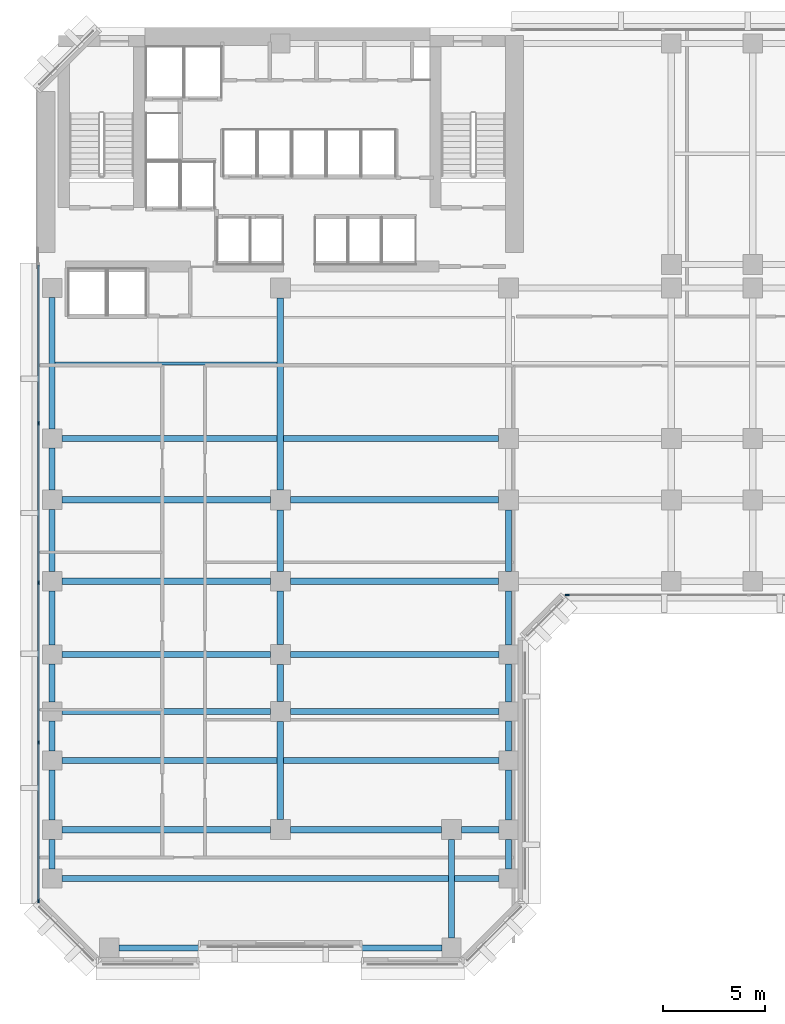
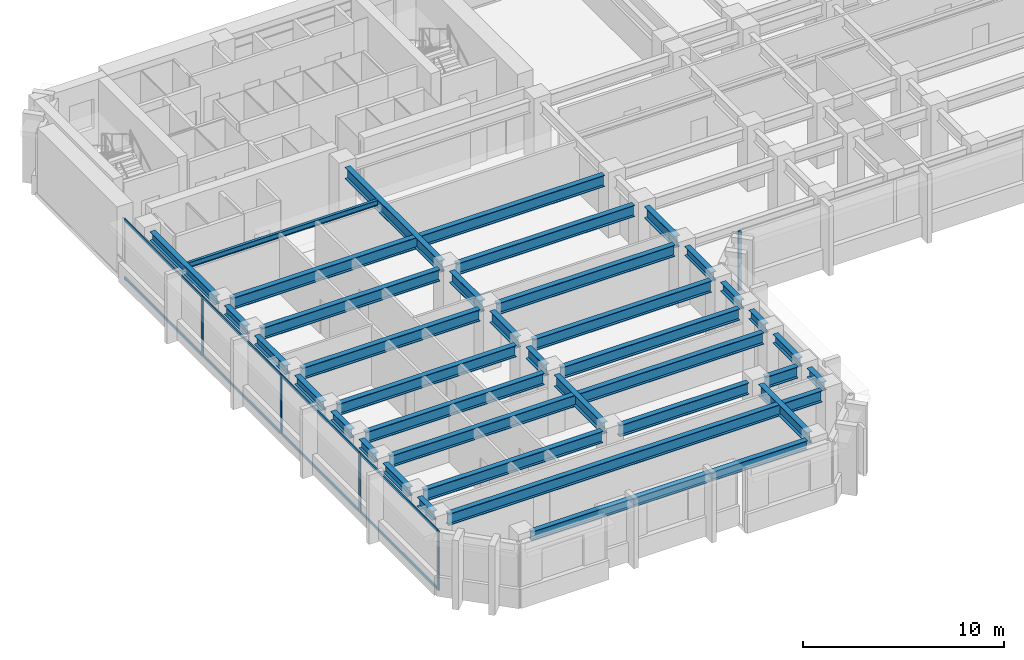
# One storey, part 2 of 13: 36 beams, 13 members, 2 elements without a shape of their own.
"""IFC4 building model written with IfcOpenShell, lengths in metres."""

from ifc_helpers import new_model, si_unit, direction, frame, origin, origin_2d, place, context, subcontext, project, spatial, rectangle, i_section, extrude, material, layer, layer_set, material_profile, profile_set, type_object, element, aggregate, save


model = new_model("IFC4")

# Units and contexts
model_context = context("Model", 3, precision=1e-05, world=origin(), true_north=direction((0.0, 1.0)))
body_context = subcontext(model_context, "Body", "Model", "MODEL_VIEW")
ifc_project = project(units=[si_unit("LENGTHUNIT", "METRE"), si_unit("AREAUNIT", "SQUARE_METRE"), si_unit("VOLUMEUNIT", "CUBIC_METRE"), si_unit("PLANEANGLEUNIT", "RADIAN"), si_unit("MASSUNIT", "GRAM", prefix="KILO")], contexts=[model_context])

# Site, building, storey
site_placement = place(None, origin())
site = spatial("IfcSite", under=ifc_project, at=site_placement, CompositionType="ELEMENT")
building_placement = place(site_placement, origin())
building = spatial("IfcBuilding", under=site, at=building_placement, Name="Kefirva Bronze Tower", CompositionType="ELEMENT")
storey_placement = place(building_placement, frame((0.0, 0.0, 89.760009765625)))
storey = spatial("IfcBuildingStorey", under=building, at=storey_placement, Name="L21", CompositionType="ELEMENT", Elevation=89.760009765625)

# Curtain wall, member
ifc_material_1 = material(Name="Bronze anodised aluminium", Category="aluminium")
ifc_layer = layer(ifc_material_1, 0.199951171875, Name="Bronze anodised aluminium")
ifc_layer_set = layer_set([ifc_layer], Name="Bronze anodised aluminium")
curtain_wall_type = type_object("IfcCurtainWallType", Name="Unitised Bronze Ribbon Curtain Wall Zone 1", PredefinedType="USERDEFINED", material=ifc_layer_set)
curtain_wall_1_placement = place(storey_placement, origin())
curtain_wall_1 = element("IfcCurtainWall", 1, at=curtain_wall_1_placement, inside=storey, type_object=curtain_wall_type, Name="L21 Curtain Wall 1", ObjectType="UNITISED CURTAIN WALL", PredefinedType="USERDEFINED")
ifc_material_profile_1 = material_profile(ifc_material_1, rectangle(XDim=0.074951171875, YDim=0.179931640625, at=origin_2d()), Name="ALU 75x180")
ifc_profile_set_1 = profile_set([ifc_material_profile_1], Name="Bronze anodised aluminium")
member_type_1 = type_object("IfcMemberType", Name="Bronze Mullion 75x180", PredefinedType="MULLION", material=ifc_profile_set_1)
member_1_placement = place(storey_placement, frame((26.092529296875, 18.1201171875, 0.0), z_axis=(0.0, 0.0, 1.0), x_axis=(0.0, 1.0, 0.0)))
member_1 = element("IfcMember", 2, at=member_1_placement, type_object=member_type_1, Name="CW-01 mullion 1", PredefinedType="MULLION", context=body_context, shape_type="SweptSolid", body=[
    extrude(rectangle(XDim=0.074951171875, YDim=0.179931640625, at=origin_2d()), origin(), (0.0, 0.0, 1.0), 3.610107421875),
])
aggregate(curtain_wall_1, [member_1])

# Curtain wall, members
curtain_wall_2_placement = place(storey_placement, origin())
curtain_wall_2 = element("IfcCurtainWall", 3, at=curtain_wall_2_placement, inside=storey, type_object=curtain_wall_type, Name="L21 Curtain Wall 4", ObjectType="UNITISED CURTAIN WALL", PredefinedType="USERDEFINED")
member_2_placement = place(storey_placement, frame((0.1201171875, 26.56005859375, 0.0), z_axis=(0.0, 0.0, 1.0), x_axis=(1.0, 0.0, 0.0)))
member_2 = element("IfcMember", 4, at=member_2_placement, type_object=member_type_1, Name="CW-01 mullion 2", PredefinedType="MULLION", context=body_context, shape_type="SweptSolid", body=[
    extrude(rectangle(XDim=0.074951171875, YDim=0.179931640625, at=origin_2d()), origin(), (0.0, 0.0, 1.0), 3.610107421875),
])
member_3_placement = place(storey_placement, frame((0.1201171875, 18.72509765625, 0.0), z_axis=(0.0, 0.0, 1.0), x_axis=(1.0, 0.0, 0.0)))
member_3 = element("IfcMember", 5, at=member_3_placement, type_object=member_type_1, Name="CW-01 mullion 3", PredefinedType="MULLION", context=body_context, shape_type="SweptSolid", body=[
    extrude(rectangle(XDim=0.074951171875, YDim=0.179931640625, at=origin_2d()), origin(), (0.0, 0.0, 1.0), 3.610107421875),
])
member_4_placement = place(storey_placement, frame((0.1201171875, 10.889892578125, 0.0), z_axis=(0.0, 0.0, 1.0), x_axis=(1.0, 0.0, 0.0)))
member_4 = element("IfcMember", 6, at=member_4_placement, type_object=member_type_1, Name="CW-01 mullion 4", PredefinedType="MULLION", context=body_context, shape_type="SweptSolid", body=[
    extrude(rectangle(XDim=0.074951171875, YDim=0.179931640625, at=origin_2d()), origin(), (0.0, 0.0, 1.0), 3.610107421875),
])
member_5_placement = place(storey_placement, frame((0.1201171875, 3.092529296875, 0.0), z_axis=(0.0, 0.0, 1.0), x_axis=(1.0, 0.0, 0.0)))
member_5 = element("IfcMember", 7, at=member_5_placement, type_object=member_type_1, Name="CW-01 mullion 5", PredefinedType="MULLION", context=body_context, shape_type="SweptSolid", body=[
    extrude(rectangle(XDim=0.074951171875, YDim=0.179931640625, at=origin_2d()), origin(), (0.0, 0.0, 1.0), 3.610107421875),
])
ifc_material_profile_2 = material_profile(ifc_material_1, rectangle(XDim=0.074951171875, YDim=0.14990234375, at=origin_2d()), Name="ALU 75x150")
ifc_profile_set_2 = profile_set([ifc_material_profile_2], Name="Bronze anodised aluminium")
member_type_2 = type_object("IfcMemberType", Name="Bronze Transom 75x150", PredefinedType="USERDEFINED", material=ifc_profile_set_2)
member_6_placement = place(storey_placement, frame((0.1201171875, 34.320068359375, 0.03759765625), z_axis=(0.0, -1.0, 0.0), x_axis=(1.0, 0.0, 0.0)))
member_6 = element("IfcMember", 8, at=member_6_placement, type_object=member_type_2, Name="CW-01 transom 1.1", ObjectType="TRANSOM", PredefinedType="USERDEFINED", context=body_context, shape_type="SweptSolid", body=[
    extrude(rectangle(XDim=0.074951171875, YDim=0.14990234375, at=origin_2d()), origin(), (0.0, 0.0, 1.0), 7.72265625),
])
member_7_placement = place(storey_placement, frame((0.1201171875, 34.320068359375, 3.572509765625), z_axis=(0.0, -1.0, 0.0), x_axis=(1.0, 0.0, 0.0)))
member_7 = element("IfcMember", 9, at=member_7_placement, type_object=member_type_2, Name="CW-01 transom 1.2", ObjectType="TRANSOM", PredefinedType="USERDEFINED", context=body_context, shape_type="SweptSolid", body=[
    extrude(rectangle(XDim=0.074951171875, YDim=0.14990234375, at=origin_2d()), origin(), (0.0, 0.0, 1.0), 7.72265625),
])
member_8_placement = place(storey_placement, frame((0.1201171875, 26.5224609375, 0.03759765625), z_axis=(0.0, -1.0, 0.0), x_axis=(1.0, 0.0, 0.0)))
member_8 = element("IfcMember", 10, at=member_8_placement, type_object=member_type_2, Name="CW-01 transom 2.1", ObjectType="TRANSOM", PredefinedType="USERDEFINED", context=body_context, shape_type="SweptSolid", body=[
    extrude(rectangle(XDim=0.074951171875, YDim=0.14990234375, at=origin_2d()), origin(), (0.0, 0.0, 1.0), 7.760009765625),
])
member_9_placement = place(storey_placement, frame((0.1201171875, 26.5224609375, 3.572509765625), z_axis=(0.0, -1.0, 0.0), x_axis=(1.0, 0.0, 0.0)))
member_9 = element("IfcMember", 11, at=member_9_placement, type_object=member_type_2, Name="CW-01 transom 2.2", ObjectType="TRANSOM", PredefinedType="USERDEFINED", context=body_context, shape_type="SweptSolid", body=[
    extrude(rectangle(XDim=0.074951171875, YDim=0.14990234375, at=origin_2d()), origin(), (0.0, 0.0, 1.0), 7.760009765625),
])
member_10_placement = place(storey_placement, frame((0.1201171875, 18.6875, 0.03759765625), z_axis=(0.0, -1.0, 0.0), x_axis=(1.0, 0.0, 0.0)))
member_10 = element("IfcMember", 12, at=member_10_placement, type_object=member_type_2, Name="CW-01 transom 3.1", ObjectType="TRANSOM", PredefinedType="USERDEFINED", context=body_context, shape_type="SweptSolid", body=[
    extrude(rectangle(XDim=0.074951171875, YDim=0.14990234375, at=origin_2d()), origin(), (0.0, 0.0, 1.0), 7.760009765625),
])
member_11_placement = place(storey_placement, frame((0.1201171875, 18.6875, 3.572509765625), z_axis=(0.0, -1.0, 0.0), x_axis=(1.0, 0.0, 0.0)))
member_11 = element("IfcMember", 13, at=member_11_placement, type_object=member_type_2, Name="CW-01 transom 3.2", ObjectType="TRANSOM", PredefinedType="USERDEFINED", context=body_context, shape_type="SweptSolid", body=[
    extrude(rectangle(XDim=0.074951171875, YDim=0.14990234375, at=origin_2d()), origin(), (0.0, 0.0, 1.0), 7.760009765625),
])
member_12_placement = place(storey_placement, frame((0.1201171875, 10.8525390625, 0.03759765625), z_axis=(0.0, -1.0, 0.0), x_axis=(1.0, 0.0, 0.0)))
member_12 = element("IfcMember", 14, at=member_12_placement, type_object=member_type_2, Name="CW-01 transom 4.1", ObjectType="TRANSOM", PredefinedType="USERDEFINED", context=body_context, shape_type="SweptSolid", body=[
    extrude(rectangle(XDim=0.074951171875, YDim=0.14990234375, at=origin_2d()), origin(), (0.0, 0.0, 1.0), 7.72265625),
])
member_13_placement = place(storey_placement, frame((0.1201171875, 10.8525390625, 3.572509765625), z_axis=(0.0, -1.0, 0.0), x_axis=(1.0, 0.0, 0.0)))
member_13 = element("IfcMember", 15, at=member_13_placement, type_object=member_type_2, Name="CW-01 transom 4.2", ObjectType="TRANSOM", PredefinedType="USERDEFINED", context=body_context, shape_type="SweptSolid", body=[
    extrude(rectangle(XDim=0.074951171875, YDim=0.14990234375, at=origin_2d()), origin(), (0.0, 0.0, 1.0), 7.72265625),
])
aggregate(curtain_wall_2, [member_2, member_3, member_4, member_5, member_6, member_7, member_8, member_9, member_10, member_11, member_12, member_13])

# Beams
ifc_material_2 = material(Name="Steel S355", Category="steel")
ifc_material_profile_3 = material_profile(ifc_material_2, i_section(OverallWidth=0.159912109375, OverallDepth=0.330078125, WebThickness=0.007568359375, FlangeThickness=0.011474609375, at=origin_2d()), Name="IPE 330")
ifc_profile_set_3 = profile_set([ifc_material_profile_3], Name="Steel S355")
beam_type_1 = type_object("IfcBeamType", Name="Steel Floor Joist IPE 330", PredefinedType="JOIST", material=ifc_profile_set_3)
beam_1_placement = place(storey_placement, frame((0.949951171875, 29.489990234375, 3.445068359375), z_axis=(1.0, 0.0, 0.0), x_axis=(0.0, 1.0, 0.0)))
element("IfcBeam", 16, at=beam_1_placement, inside=storey, type_object=beam_type_1, Name="L21 JST-L21-0-294", PredefinedType="JOIST", context=body_context, shape_type="SweptSolid", body=[
    extrude(i_section(OverallWidth=0.159912109375, OverallDepth=0.330078125, WebThickness=0.007568359375, FlangeThickness=0.011474609375, at=origin_2d()), origin(), (0.0, 0.0, 1.0), 10.900146484375),
])
ifc_material_profile_4 = material_profile(ifc_material_2, i_section(OverallWidth=0.300048828125, OverallDepth=0.699951171875, WebThickness=0.01708984375, FlangeThickness=0.031982421875, at=origin_2d()), Name="HEB 700")
ifc_profile_set_4 = profile_set([ifc_material_profile_4], Name="Steel S355")
beam_type_2 = type_object("IfcBeamType", Name="Steel Girder HEB 700", PredefinedType="USERDEFINED", material=ifc_profile_set_4)
beam_2_placement = place(storey_placement, frame((1.27001953125, 4.199951171875, 3.260009765625), z_axis=(1.0, 0.0, 0.0), x_axis=(0.0, 1.0, 0.0)))
element("IfcBeam", 17, at=beam_2_placement, inside=storey, type_object=beam_type_2, Name="L21 BM-L21-EW-0-42", ObjectType="GIRDER", PredefinedType="USERDEFINED", context=body_context, shape_type="SweptSolid", body=[
    extrude(i_section(OverallWidth=0.300048828125, OverallDepth=0.699951171875, WebThickness=0.01708984375, FlangeThickness=0.031982421875, at=origin_2d()), origin(), (0.0, 0.0, 1.0), 21.4599609375),
])
beam_3_placement = place(storey_placement, frame((1.27001953125, 6.60009765625, 3.260009765625), z_axis=(1.0, 0.0, 0.0), x_axis=(0.0, 1.0, 0.0)))
element("IfcBeam", 18, at=beam_3_placement, inside=storey, type_object=beam_type_2, Name="L21 BM-L21-EW-0-66", ObjectType="GIRDER", PredefinedType="USERDEFINED", context=body_context, shape_type="SweptSolid", body=[
    extrude(i_section(OverallWidth=0.300048828125, OverallDepth=0.699951171875, WebThickness=0.01708984375, FlangeThickness=0.031982421875, at=origin_2d()), origin(), (0.0, 0.0, 1.0), 10.239990234375),
])
beam_4_placement = place(storey_placement, frame((12.489990234375, 6.60009765625, 3.260009765625), z_axis=(1.0, 0.0, 0.0), x_axis=(0.0, 1.0, 0.0)))
element("IfcBeam", 19, at=beam_4_placement, inside=storey, type_object=beam_type_2, Name="L21 BM-L21-EW-12-66", ObjectType="GIRDER", PredefinedType="USERDEFINED", context=body_context, shape_type="SweptSolid", body=[
    extrude(i_section(OverallWidth=0.300048828125, OverallDepth=0.699951171875, WebThickness=0.01708984375, FlangeThickness=0.031982421875, at=origin_2d()), origin(), (0.0, 0.0, 1.0), 7.419921875),
])
beam_5_placement = place(storey_placement, frame((20.889892578125, 6.60009765625, 3.260009765625), z_axis=(1.0, 0.0, 0.0), x_axis=(0.0, 1.0, 0.0)))
element("IfcBeam", 20, at=beam_5_placement, inside=storey, type_object=beam_type_2, Name="L21 BM-L21-EW-20-66", ObjectType="GIRDER", PredefinedType="USERDEFINED", context=body_context, shape_type="SweptSolid", body=[
    extrude(i_section(OverallWidth=0.300048828125, OverallDepth=0.699951171875, WebThickness=0.01708984375, FlangeThickness=0.031982421875, at=origin_2d()), origin(), (0.0, 0.0, 1.0), 1.840087890625),
])
beam_6_placement = place(storey_placement, frame((1.27001953125, 10.0, 3.260009765625), z_axis=(1.0, 0.0, 0.0), x_axis=(0.0, 1.0, 0.0)))
element("IfcBeam", 21, at=beam_6_placement, inside=storey, type_object=beam_type_2, Name="L21 BM-L21-EW-0-100", ObjectType="GIRDER", PredefinedType="USERDEFINED", context=body_context, shape_type="SweptSolid", body=[
    extrude(i_section(OverallWidth=0.300048828125, OverallDepth=0.699951171875, WebThickness=0.01708984375, FlangeThickness=0.031982421875, at=origin_2d()), origin(), (0.0, 0.0, 1.0), 21.4599609375),
])
for number, where, z_axis, x_axis, name in (
    (22, (1.27001953125, 12.39990234375, 3.260009765625), (1.0, 0.0, 0.0), (0.0, 1.0, 0.0), "L21 BM-L21-EW-0-124"),
    (23, (12.489990234375, 12.39990234375, 3.260009765625), (1.0, 0.0, 0.0), (0.0, 1.0, 0.0), "L21 BM-L21-EW-12-124"),
    (24, (1.27001953125, 15.199951171875, 3.260009765625), (1.0, 0.0, 0.0), (0.0, 1.0, 0.0), "L21 BM-L21-EW-0-152"),
    (25, (12.489990234375, 15.199951171875, 3.260009765625), (1.0, 0.0, 0.0), (0.0, 1.0, 0.0), "L21 BM-L21-EW-12-152"),
    (26, (1.27001953125, 18.800048828125, 3.260009765625), (1.0, 0.0, 0.0), (0.0, 1.0, 0.0), "L21 BM-L21-EW-0-188"),
):
    element("IfcBeam", number, at=place(storey_placement, frame(where, z_axis=z_axis, x_axis=x_axis)), inside=storey, type_object=beam_type_2, Name=name, ObjectType="GIRDER", PredefinedType="USERDEFINED", context=body_context, shape_type="SweptSolid", body=[
        extrude(i_section(OverallWidth=0.300048828125, OverallDepth=0.699951171875, WebThickness=0.01708984375, FlangeThickness=0.031982421875, at=origin_2d()), origin(), (0.0, 0.0, 1.0), 10.239990234375),
    ])
beam_7_placement = place(storey_placement, frame((12.489990234375, 18.800048828125, 3.260009765625), z_axis=(1.0, 0.0, 0.0), x_axis=(0.0, 1.0, 0.0)))
element("IfcBeam", 27, at=beam_7_placement, inside=storey, type_object=beam_type_2, Name="L21 BM-L21-EW-12-188", ObjectType="GIRDER", PredefinedType="USERDEFINED", context=body_context, shape_type="SweptSolid", body=[
    extrude(i_section(OverallWidth=0.300048828125, OverallDepth=0.699951171875, WebThickness=0.01708984375, FlangeThickness=0.031982421875, at=origin_2d()), origin(), (0.0, 0.0, 1.0), 10.219970703125),
])
beam_8_placement = place(storey_placement, frame((1.27001953125, 22.800048828125, 3.260009765625), z_axis=(1.0, 0.0, 0.0), x_axis=(0.0, 1.0, 0.0)))
element("IfcBeam", 28, at=beam_8_placement, inside=storey, type_object=beam_type_2, Name="L21 BM-L21-EW-0-228", ObjectType="GIRDER", PredefinedType="USERDEFINED", context=body_context, shape_type="SweptSolid", body=[
    extrude(i_section(OverallWidth=0.300048828125, OverallDepth=0.699951171875, WebThickness=0.01708984375, FlangeThickness=0.031982421875, at=origin_2d()), origin(), (0.0, 0.0, 1.0), 10.239990234375),
])
beam_9_placement = place(storey_placement, frame((12.489990234375, 22.800048828125, 3.260009765625), z_axis=(1.0, 0.0, 0.0), x_axis=(0.0, 1.0, 0.0)))
element("IfcBeam", 29, at=beam_9_placement, inside=storey, type_object=beam_type_2, Name="L21 BM-L21-EW-12-228", ObjectType="GIRDER", PredefinedType="USERDEFINED", context=body_context, shape_type="SweptSolid", body=[
    extrude(i_section(OverallWidth=0.300048828125, OverallDepth=0.699951171875, WebThickness=0.01708984375, FlangeThickness=0.031982421875, at=origin_2d()), origin(), (0.0, 0.0, 1.0), 10.219970703125),
])
beam_10_placement = place(storey_placement, frame((1.27001953125, 25.800048828125, 3.260009765625), z_axis=(1.0, 0.0, 0.0), x_axis=(0.0, 1.0, 0.0)))
element("IfcBeam", 30, at=beam_10_placement, inside=storey, type_object=beam_type_2, Name="L21 BM-L21-EW-0-258", ObjectType="GIRDER", PredefinedType="USERDEFINED", context=body_context, shape_type="SweptSolid", body=[
    extrude(i_section(OverallWidth=0.300048828125, OverallDepth=0.699951171875, WebThickness=0.01708984375, FlangeThickness=0.031982421875, at=origin_2d()), origin(), (0.0, 0.0, 1.0), 21.43994140625),
])
beam_11_placement = place(storey_placement, frame((12.0, 7.090087890625, 3.260009765625), z_axis=(0.0, 1.0, 0.0), x_axis=(-1.0, 0.0, 0.0)))
element("IfcBeam", 31, at=beam_11_placement, inside=storey, type_object=beam_type_2, Name="L21 BM-L21-NS-120-6", ObjectType="GIRDER", PredefinedType="USERDEFINED", context=body_context, shape_type="SweptSolid", body=[
    extrude(i_section(OverallWidth=0.300048828125, OverallDepth=0.699951171875, WebThickness=0.01708984375, FlangeThickness=0.031982421875, at=origin_2d()), origin(), (0.0, 0.0, 1.0), 4.81982421875),
])
beam_12_placement = place(storey_placement, frame((12.0, 12.889892578125, 3.260009765625), z_axis=(0.0, 1.0, 0.0), x_axis=(-1.0, 0.0, 0.0)))
element("IfcBeam", 32, at=beam_12_placement, inside=storey, type_object=beam_type_2, Name="L21 BM-L21-NS-120-12", ObjectType="GIRDER", PredefinedType="USERDEFINED", context=body_context, shape_type="SweptSolid", body=[
    extrude(i_section(OverallWidth=0.300048828125, OverallDepth=0.699951171875, WebThickness=0.01708984375, FlangeThickness=0.031982421875, at=origin_2d()), origin(), (0.0, 0.0, 1.0), 1.820068359375),
])
beam_13_placement = place(storey_placement, frame((12.0, 15.68994140625, 3.260009765625), z_axis=(0.0, 1.0, 0.0), x_axis=(-1.0, 0.0, 0.0)))
element("IfcBeam", 33, at=beam_13_placement, inside=storey, type_object=beam_type_2, Name="L21 BM-L21-NS-120-15", ObjectType="GIRDER", PredefinedType="USERDEFINED", context=body_context, shape_type="SweptSolid", body=[
    extrude(i_section(OverallWidth=0.300048828125, OverallDepth=0.699951171875, WebThickness=0.01708984375, FlangeThickness=0.031982421875, at=origin_2d()), origin(), (0.0, 0.0, 1.0), 2.6201171875),
])
beam_14_placement = place(storey_placement, frame((12.0, 19.2900390625, 3.260009765625), z_axis=(0.0, 1.0, 0.0), x_axis=(-1.0, 0.0, 0.0)))
element("IfcBeam", 34, at=beam_14_placement, inside=storey, type_object=beam_type_2, Name="L21 BM-L21-NS-120-18", ObjectType="GIRDER", PredefinedType="USERDEFINED", context=body_context, shape_type="SweptSolid", body=[
    extrude(i_section(OverallWidth=0.300048828125, OverallDepth=0.699951171875, WebThickness=0.01708984375, FlangeThickness=0.031982421875, at=origin_2d()), origin(), (0.0, 0.0, 1.0), 3.02001953125),
])
beam_15_placement = place(storey_placement, frame((12.0, 23.2900390625, 3.260009765625), z_axis=(0.0, 1.0, 0.0), x_axis=(-1.0, 0.0, 0.0)))
element("IfcBeam", 35, at=beam_15_placement, inside=storey, type_object=beam_type_2, Name="L21 BM-L21-NS-120-22", ObjectType="GIRDER", PredefinedType="USERDEFINED", context=body_context, shape_type="SweptSolid", body=[
    extrude(i_section(OverallWidth=0.300048828125, OverallDepth=0.699951171875, WebThickness=0.01708984375, FlangeThickness=0.031982421875, at=origin_2d()), origin(), (0.0, 0.0, 1.0), 9.419921875),
])
beam_16_placement = place(storey_placement, frame((20.39990234375, 1.27001953125, 3.260009765625), z_axis=(0.0, 1.0, 0.0), x_axis=(-1.0, 0.0, 0.0)))
element("IfcBeam", 36, at=beam_16_placement, inside=storey, type_object=beam_type_2, Name="L21 BM-L21-NS-204-0", ObjectType="GIRDER", PredefinedType="USERDEFINED", context=body_context, shape_type="SweptSolid", body=[
    extrude(i_section(OverallWidth=0.300048828125, OverallDepth=0.699951171875, WebThickness=0.01708984375, FlangeThickness=0.031982421875, at=origin_2d()), origin(), (0.0, 0.0, 1.0), 4.840087890625),
])
beam_17_placement = place(storey_placement, frame((23.199951171875, 19.2900390625, 3.260009765625), z_axis=(0.0, 1.0, 0.0), x_axis=(-1.0, 0.0, 0.0)))
element("IfcBeam", 37, at=beam_17_placement, inside=storey, type_object=beam_type_2, Name="L21 BM-L21-NS-232-18", ObjectType="GIRDER", PredefinedType="USERDEFINED", context=body_context, shape_type="SweptSolid", body=[
    extrude(i_section(OverallWidth=0.300048828125, OverallDepth=0.699951171875, WebThickness=0.01708984375, FlangeThickness=0.031982421875, at=origin_2d()), origin(), (0.0, 0.0, 1.0), 3.02001953125),
])
ifc_material_profile_5 = material_profile(ifc_material_2, i_section(OverallWidth=0.300048828125, OverallDepth=0.550048828125, WebThickness=0.014892578125, FlangeThickness=0.029052734375, at=origin_2d()), Name="HEB 550")
ifc_profile_set_5 = profile_set([ifc_material_profile_5], Name="Steel S355")
beam_type_3 = type_object("IfcBeamType", Name="Steel Spandrel HEB 550 Ext", PredefinedType="SPANDREL", material=ifc_profile_set_5)
beam_18_placement = place(storey_placement, frame((4.070068359375, 0.800048828125, 3.3349609375), z_axis=(1.0, 0.0, 0.0), x_axis=(0.0, 1.0, 0.0)))
element("IfcBeam", 38, at=beam_18_placement, inside=storey, type_object=beam_type_3, Name="L21 BM-L21-EW-3-8", PredefinedType="SPANDREL", context=body_context, shape_type="SweptSolid", body=[
    extrude(i_section(OverallWidth=0.300048828125, OverallDepth=0.550048828125, WebThickness=0.014892578125, FlangeThickness=0.029052734375, at=origin_2d()), origin(), (0.0, 0.0, 1.0), 15.85986328125),
])
beam_19_placement = place(storey_placement, frame((0.800048828125, 4.669921875, 3.3349609375), z_axis=(0.0, 1.0, 0.0), x_axis=(-1.0, 0.0, 0.0)))
element("IfcBeam", 39, at=beam_19_placement, inside=storey, type_object=beam_type_3, Name="L21 BM-L21-NS-8-4", PredefinedType="SPANDREL", context=body_context, shape_type="SweptSolid", body=[
    extrude(i_section(OverallWidth=0.300048828125, OverallDepth=0.550048828125, WebThickness=0.014892578125, FlangeThickness=0.029052734375, at=origin_2d()), origin(), (0.0, 0.0, 1.0), 1.4599609375),
])
beam_20_placement = place(storey_placement, frame((0.800048828125, 7.070068359375, 3.3349609375), z_axis=(0.0, 1.0, 0.0), x_axis=(-1.0, 0.0, 0.0)))
element("IfcBeam", 40, at=beam_20_placement, inside=storey, type_object=beam_type_3, Name="L21 BM-L21-NS-8-6", PredefinedType="SPANDREL", context=body_context, shape_type="SweptSolid", body=[
    extrude(i_section(OverallWidth=0.300048828125, OverallDepth=0.550048828125, WebThickness=0.014892578125, FlangeThickness=0.029052734375, at=origin_2d()), origin(), (0.0, 0.0, 1.0), 2.4599609375),
])
beam_21_placement = place(storey_placement, frame((0.800048828125, 10.469970703125, 3.3349609375), z_axis=(0.0, 1.0, 0.0), x_axis=(-1.0, 0.0, 0.0)))
element("IfcBeam", 41, at=beam_21_placement, inside=storey, type_object=beam_type_3, Name="L21 BM-L21-NS-8-10", PredefinedType="SPANDREL", context=body_context, shape_type="SweptSolid", body=[
    extrude(i_section(OverallWidth=0.300048828125, OverallDepth=0.550048828125, WebThickness=0.014892578125, FlangeThickness=0.029052734375, at=origin_2d()), origin(), (0.0, 0.0, 1.0), 1.4599609375),
])
beam_22_placement = place(storey_placement, frame((0.800048828125, 12.8701171875, 3.3349609375), z_axis=(0.0, 1.0, 0.0), x_axis=(-1.0, 0.0, 0.0)))
element("IfcBeam", 42, at=beam_22_placement, inside=storey, type_object=beam_type_3, Name="L21 BM-L21-NS-8-12", PredefinedType="SPANDREL", context=body_context, shape_type="SweptSolid", body=[
    extrude(i_section(OverallWidth=0.300048828125, OverallDepth=0.550048828125, WebThickness=0.014892578125, FlangeThickness=0.029052734375, at=origin_2d()), origin(), (0.0, 0.0, 1.0), 1.85986328125),
])
beam_23_placement = place(storey_placement, frame((0.800048828125, 15.669921875, 3.3349609375), z_axis=(0.0, 1.0, 0.0), x_axis=(-1.0, 0.0, 0.0)))
element("IfcBeam", 43, at=beam_23_placement, inside=storey, type_object=beam_type_3, Name="L21 BM-L21-NS-8-15", PredefinedType="SPANDREL", context=body_context, shape_type="SweptSolid", body=[
    extrude(i_section(OverallWidth=0.300048828125, OverallDepth=0.550048828125, WebThickness=0.014892578125, FlangeThickness=0.029052734375, at=origin_2d()), origin(), (0.0, 0.0, 1.0), 2.66015625),
])
beam_24_placement = place(storey_placement, frame((0.800048828125, 19.27001953125, 3.3349609375), z_axis=(0.0, 1.0, 0.0), x_axis=(-1.0, 0.0, 0.0)))
element("IfcBeam", 44, at=beam_24_placement, inside=storey, type_object=beam_type_3, Name="L21 BM-L21-NS-8-18", PredefinedType="SPANDREL", context=body_context, shape_type="SweptSolid", body=[
    extrude(i_section(OverallWidth=0.300048828125, OverallDepth=0.550048828125, WebThickness=0.014892578125, FlangeThickness=0.029052734375, at=origin_2d()), origin(), (0.0, 0.0, 1.0), 3.06005859375),
])
beam_25_placement = place(storey_placement, frame((0.800048828125, 23.27001953125, 3.3349609375), z_axis=(0.0, 1.0, 0.0), x_axis=(-1.0, 0.0, 0.0)))
element("IfcBeam", 45, at=beam_25_placement, inside=storey, type_object=beam_type_3, Name="L21 BM-L21-NS-8-22", PredefinedType="SPANDREL", context=body_context, shape_type="SweptSolid", body=[
    extrude(i_section(OverallWidth=0.300048828125, OverallDepth=0.550048828125, WebThickness=0.014892578125, FlangeThickness=0.029052734375, at=origin_2d()), origin(), (0.0, 0.0, 1.0), 2.06005859375),
])
beam_26_placement = place(storey_placement, frame((0.800048828125, 26.27001953125, 3.3349609375), z_axis=(0.0, 1.0, 0.0), x_axis=(-1.0, 0.0, 0.0)))
element("IfcBeam", 46, at=beam_26_placement, inside=storey, type_object=beam_type_3, Name="L21 BM-L21-NS-8-25", PredefinedType="SPANDREL", context=body_context, shape_type="SweptSolid", body=[
    extrude(i_section(OverallWidth=0.300048828125, OverallDepth=0.550048828125, WebThickness=0.014892578125, FlangeThickness=0.029052734375, at=origin_2d()), origin(), (0.0, 0.0, 1.0), 6.4599609375),
])
beam_27_placement = place(storey_placement, frame((23.199951171875, 4.669921875, 3.3349609375), z_axis=(0.0, 1.0, 0.0), x_axis=(-1.0, 0.0, 0.0)))
element("IfcBeam", 47, at=beam_27_placement, inside=storey, type_object=beam_type_3, Name="L21 BM-L21-NS-232-4", PredefinedType="SPANDREL", context=body_context, shape_type="SweptSolid", body=[
    extrude(i_section(OverallWidth=0.300048828125, OverallDepth=0.550048828125, WebThickness=0.014892578125, FlangeThickness=0.029052734375, at=origin_2d()), origin(), (0.0, 0.0, 1.0), 1.4599609375),
])
beam_28_placement = place(storey_placement, frame((23.199951171875, 7.070068359375, 3.3349609375), z_axis=(0.0, 1.0, 0.0), x_axis=(-1.0, 0.0, 0.0)))
element("IfcBeam", 48, at=beam_28_placement, inside=storey, type_object=beam_type_3, Name="L21 BM-L21-NS-232-6", PredefinedType="SPANDREL", context=body_context, shape_type="SweptSolid", body=[
    extrude(i_section(OverallWidth=0.300048828125, OverallDepth=0.550048828125, WebThickness=0.014892578125, FlangeThickness=0.029052734375, at=origin_2d()), origin(), (0.0, 0.0, 1.0), 2.4599609375),
])
beam_29_placement = place(storey_placement, frame((23.199951171875, 10.469970703125, 3.3349609375), z_axis=(0.0, 1.0, 0.0), x_axis=(-1.0, 0.0, 0.0)))
element("IfcBeam", 49, at=beam_29_placement, inside=storey, type_object=beam_type_3, Name="L21 BM-L21-NS-232-10", PredefinedType="SPANDREL", context=body_context, shape_type="SweptSolid", body=[
    extrude(i_section(OverallWidth=0.300048828125, OverallDepth=0.550048828125, WebThickness=0.014892578125, FlangeThickness=0.029052734375, at=origin_2d()), origin(), (0.0, 0.0, 1.0), 1.4599609375),
])
beam_30_placement = place(storey_placement, frame((23.199951171875, 12.8701171875, 3.3349609375), z_axis=(0.0, 1.0, 0.0), x_axis=(-1.0, 0.0, 0.0)))
element("IfcBeam", 50, at=beam_30_placement, inside=storey, type_object=beam_type_3, Name="L21 BM-L21-NS-232-12", PredefinedType="SPANDREL", context=body_context, shape_type="SweptSolid", body=[
    extrude(i_section(OverallWidth=0.300048828125, OverallDepth=0.550048828125, WebThickness=0.014892578125, FlangeThickness=0.029052734375, at=origin_2d()), origin(), (0.0, 0.0, 1.0), 1.85986328125),
])
beam_31_placement = place(storey_placement, frame((23.199951171875, 15.669921875, 3.3349609375), z_axis=(0.0, 1.0, 0.0), x_axis=(-1.0, 0.0, 0.0)))
element("IfcBeam", 51, at=beam_31_placement, inside=storey, type_object=beam_type_3, Name="L21 BM-L21-NS-232-15", PredefinedType="SPANDREL", context=body_context, shape_type="SweptSolid", body=[
    extrude(i_section(OverallWidth=0.300048828125, OverallDepth=0.550048828125, WebThickness=0.014892578125, FlangeThickness=0.029052734375, at=origin_2d()), origin(), (0.0, 0.0, 1.0), 2.64013671875),
])

save(model, "model.ifc")
